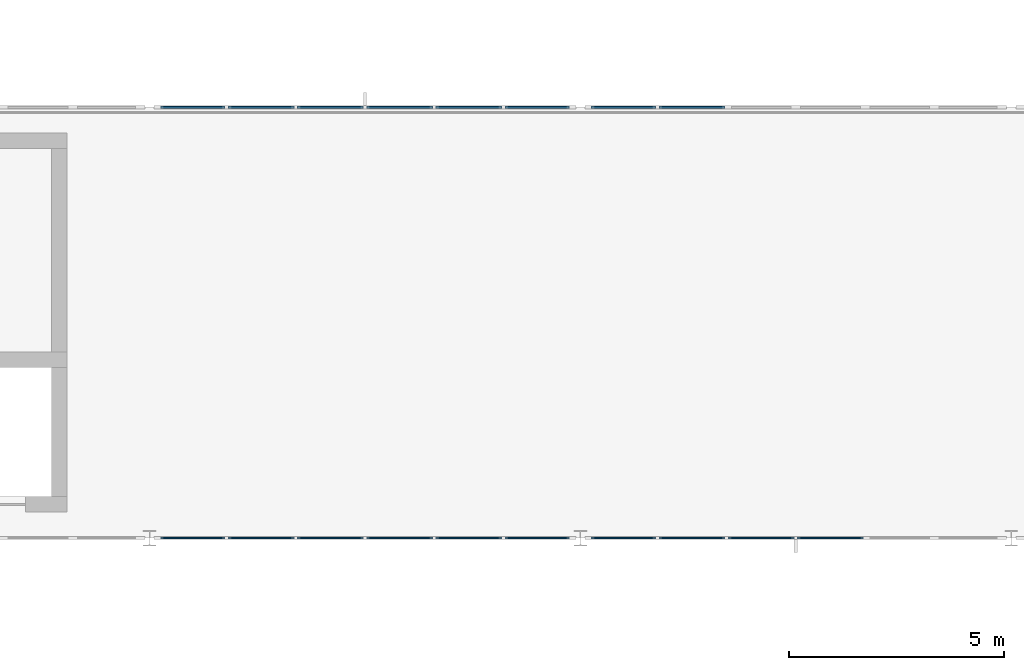
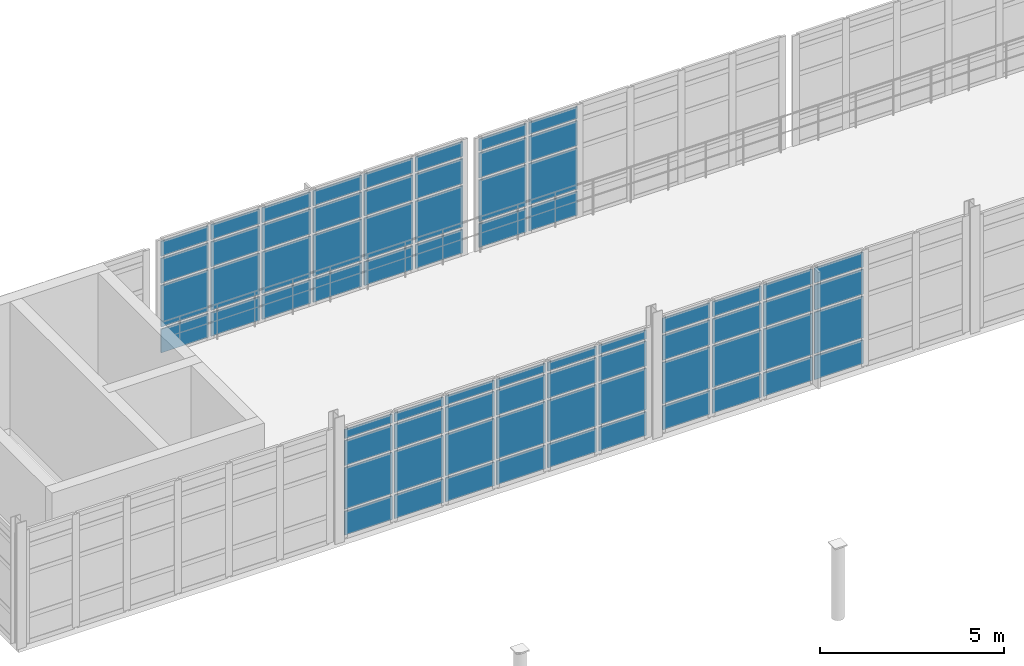
# One storey, part 79 of 122: 72 plates, 4 elements without a shape of their own.
"""IFC4 building model written with IfcOpenShell, lengths in metres."""

from ifc_helpers import new_model, si_unit, direction, frame, origin, origin_2d, place, context, subcontext, project, spatial, rectangle, extrude, material, layer, layer_set, type_object, element, aggregate, save


model = new_model("IFC4")

# Units and contexts
model_context = context("Model", 3, precision=1e-05, world=origin(), true_north=direction((0.0, 1.0)))
body_context = subcontext(model_context, "Body", "Model", "MODEL_VIEW")
ifc_project = project(units=[si_unit("LENGTHUNIT", "METRE"), si_unit("AREAUNIT", "SQUARE_METRE"), si_unit("VOLUMEUNIT", "CUBIC_METRE"), si_unit("PLANEANGLEUNIT", "RADIAN"), si_unit("MASSUNIT", "GRAM", prefix="KILO"), si_unit("THERMODYNAMICTEMPERATUREUNIT", "KELVIN"), si_unit("POWERUNIT", "WATT")], contexts=[model_context])

# Site, building, storey
site_placement = place(None, origin())
site = spatial("IfcSite", under=ifc_project, at=site_placement, CompositionType="ELEMENT")
building_placement = place(site_placement, origin())
building = spatial("IfcBuilding", under=site, at=building_placement, Name="Korenveer Ferry Terminal", CompositionType="ELEMENT")
storey_placement = place(building_placement, frame((0.0, 0.0, 10.199951171875)))
storey = spatial("IfcBuildingStorey", under=building, at=storey_placement, Name="L02", CompositionType="ELEMENT", Elevation=10.199951171875)

# Curtain wall, plates
ifc_material_1 = material(Name="Unitised bronze-and-glass curtain wall", Category="glass")
ifc_layer_1 = layer(ifc_material_1, 0.219970703125)
ifc_layer_set_1 = layer_set([ifc_layer_1], Name="Unitised bronze-and-glass curtain wall")
curtain_wall_type_1 = type_object("IfcCurtainWallType", Name="ENV-CW-91", PredefinedType="USERDEFINED", material=ifc_layer_set_1)
curtain_wall_1_placement = place(storey_placement, frame((63.179931640625, 50.0, 0.0)))
curtain_wall_1 = element("IfcCurtainWall", 1, at=curtain_wall_1_placement, inside=storey, type_object=curtain_wall_type_1, Name="Lancet curtain wall CWX-L02-X63-73-Y50-50", ObjectType="UNITISED CURTAIN WALL", PredefinedType="USERDEFINED")
ifc_material_2 = material(Name="Acoustic laminated marine glazing", Category="glass")
ifc_layer_2 = layer(ifc_material_2, 0.035888671875)
ifc_layer_set_2 = layer_set([ifc_layer_2], Name="Acoustic laminated marine glazing")
plate_type = type_object("IfcPlateType", Name="ENV-CWP-GLZ36", PredefinedType="CURTAIN_PANEL", material=ifc_layer_set_2)
plate_1_placement = place(storey_placement, frame((64.002197265625, 50.0, 0.074951171875), z_axis=(0.0, 0.0, 1.0), x_axis=(1.0, 0.0, 0.0)))
plate_1 = element("IfcPlate", 2, at=plate_1_placement, type_object=plate_type, Name="CW-91 panel 1.1", PredefinedType="CURTAIN_PANEL", context=body_context, shape_type="SweptSolid", body=[
    extrude(rectangle(XDim=1.494140625, YDim=0.035888671875, at=origin_2d()), origin(), (0.0, 0.0, 1.0), 0.78759765625),
])
plate_2_placement = place(storey_placement, frame((64.002197265625, 50.0, 0.9375), z_axis=(0.0, 0.0, 1.0), x_axis=(1.0, 0.0, 0.0)))
plate_2 = element("IfcPlate", 3, at=plate_2_placement, type_object=plate_type, Name="CW-91 panel 1.2", PredefinedType="CURTAIN_PANEL", context=body_context, shape_type="SweptSolid", body=[
    extrude(rectangle(XDim=1.494140625, YDim=0.035888671875, at=origin_2d()), origin(), (0.0, 0.0, 1.0), 1.375),
])
plate_3_placement = place(storey_placement, frame((64.002197265625, 50.0, 2.3876953125), z_axis=(0.0, 0.0, 1.0), x_axis=(1.0, 0.0, 0.0)))
plate_3 = element("IfcPlate", 4, at=plate_3_placement, type_object=plate_type, Name="CW-91 panel 1.3", PredefinedType="CURTAIN_PANEL", context=body_context, shape_type="SweptSolid", body=[
    extrude(rectangle(XDim=1.494140625, YDim=0.035888671875, at=origin_2d()), origin(), (0.0, 0.0, 1.0), 0.824951171875),
])
plate_4_placement = place(storey_placement, frame((64.002197265625, 50.0, 3.28759765625), z_axis=(0.0, 0.0, 1.0), x_axis=(1.0, 0.0, 0.0)))
plate_4 = element("IfcPlate", 5, at=plate_4_placement, type_object=plate_type, Name="CW-91 panel 1.4", PredefinedType="CURTAIN_PANEL", context=body_context, shape_type="SweptSolid", body=[
    extrude(rectangle(XDim=1.494140625, YDim=0.035888671875, at=origin_2d()), origin(), (0.0, 0.0, 1.0), 0.297607421875),
])
plate_5_placement = place(storey_placement, frame((65.590087890625, 50.0, 0.074951171875), z_axis=(0.0, 0.0, 1.0), x_axis=(1.0, 0.0, 0.0)))
plate_5 = element("IfcPlate", 6, at=plate_5_placement, type_object=plate_type, Name="CW-91 panel 2.1", PredefinedType="CURTAIN_PANEL", context=body_context, shape_type="SweptSolid", body=[
    extrude(rectangle(XDim=1.53173828125, YDim=0.035888671875, at=origin_2d()), origin(), (0.0, 0.0, 1.0), 0.78759765625),
])
plate_6_placement = place(storey_placement, frame((65.590087890625, 50.0, 0.9375), z_axis=(0.0, 0.0, 1.0), x_axis=(1.0, 0.0, 0.0)))
plate_6 = element("IfcPlate", 7, at=plate_6_placement, type_object=plate_type, Name="CW-91 panel 2.2", PredefinedType="CURTAIN_PANEL", context=body_context, shape_type="SweptSolid", body=[
    extrude(rectangle(XDim=1.53173828125, YDim=0.035888671875, at=origin_2d()), origin(), (0.0, 0.0, 1.0), 1.375),
])
plate_7_placement = place(storey_placement, frame((65.590087890625, 50.0, 2.3876953125), z_axis=(0.0, 0.0, 1.0), x_axis=(1.0, 0.0, 0.0)))
plate_7 = element("IfcPlate", 8, at=plate_7_placement, type_object=plate_type, Name="CW-91 panel 2.3", PredefinedType="CURTAIN_PANEL", context=body_context, shape_type="SweptSolid", body=[
    extrude(rectangle(XDim=1.53173828125, YDim=0.035888671875, at=origin_2d()), origin(), (0.0, 0.0, 1.0), 0.824951171875),
])
plate_8_placement = place(storey_placement, frame((65.590087890625, 50.0, 3.28759765625), z_axis=(0.0, 0.0, 1.0), x_axis=(1.0, 0.0, 0.0)))
plate_8 = element("IfcPlate", 9, at=plate_8_placement, type_object=plate_type, Name="CW-91 panel 2.4", PredefinedType="CURTAIN_PANEL", context=body_context, shape_type="SweptSolid", body=[
    extrude(rectangle(XDim=1.53173828125, YDim=0.035888671875, at=origin_2d()), origin(), (0.0, 0.0, 1.0), 0.297607421875),
])
plate_9_placement = place(storey_placement, frame((67.19677734375, 50.0, 0.074951171875), z_axis=(0.0, 0.0, 1.0), x_axis=(1.0, 0.0, 0.0)))
plate_9 = element("IfcPlate", 10, at=plate_9_placement, type_object=plate_type, Name="CW-91 panel 3.1", PredefinedType="CURTAIN_PANEL", context=body_context, shape_type="SweptSolid", body=[
    extrude(rectangle(XDim=1.53173828125, YDim=0.035888671875, at=origin_2d()), origin(), (0.0, 0.0, 1.0), 0.78759765625),
])
plate_10_placement = place(storey_placement, frame((67.19677734375, 50.0, 0.9375), z_axis=(0.0, 0.0, 1.0), x_axis=(1.0, 0.0, 0.0)))
plate_10 = element("IfcPlate", 11, at=plate_10_placement, type_object=plate_type, Name="CW-91 panel 3.2", PredefinedType="CURTAIN_PANEL", context=body_context, shape_type="SweptSolid", body=[
    extrude(rectangle(XDim=1.53173828125, YDim=0.035888671875, at=origin_2d()), origin(), (0.0, 0.0, 1.0), 1.375),
])
plate_11_placement = place(storey_placement, frame((67.19677734375, 50.0, 2.3876953125), z_axis=(0.0, 0.0, 1.0), x_axis=(1.0, 0.0, 0.0)))
plate_11 = element("IfcPlate", 12, at=plate_11_placement, type_object=plate_type, Name="CW-91 panel 3.3", PredefinedType="CURTAIN_PANEL", context=body_context, shape_type="SweptSolid", body=[
    extrude(rectangle(XDim=1.53173828125, YDim=0.035888671875, at=origin_2d()), origin(), (0.0, 0.0, 1.0), 0.824951171875),
])
plate_12_placement = place(storey_placement, frame((67.19677734375, 50.0, 3.28759765625), z_axis=(0.0, 0.0, 1.0), x_axis=(1.0, 0.0, 0.0)))
plate_12 = element("IfcPlate", 13, at=plate_12_placement, type_object=plate_type, Name="CW-91 panel 3.4", PredefinedType="CURTAIN_PANEL", context=body_context, shape_type="SweptSolid", body=[
    extrude(rectangle(XDim=1.53173828125, YDim=0.035888671875, at=origin_2d()), origin(), (0.0, 0.0, 1.0), 0.297607421875),
])
plate_13_placement = place(storey_placement, frame((68.80322265625, 50.0, 0.074951171875), z_axis=(0.0, 0.0, 1.0), x_axis=(1.0, 0.0, 0.0)))
plate_13 = element("IfcPlate", 14, at=plate_13_placement, type_object=plate_type, Name="CW-91 panel 4.1", PredefinedType="CURTAIN_PANEL", context=body_context, shape_type="SweptSolid", body=[
    extrude(rectangle(XDim=1.53173828125, YDim=0.035888671875, at=origin_2d()), origin(), (0.0, 0.0, 1.0), 0.78759765625),
])
plate_14_placement = place(storey_placement, frame((68.80322265625, 50.0, 0.9375), z_axis=(0.0, 0.0, 1.0), x_axis=(1.0, 0.0, 0.0)))
plate_14 = element("IfcPlate", 15, at=plate_14_placement, type_object=plate_type, Name="CW-91 panel 4.2", PredefinedType="CURTAIN_PANEL", context=body_context, shape_type="SweptSolid", body=[
    extrude(rectangle(XDim=1.53173828125, YDim=0.035888671875, at=origin_2d()), origin(), (0.0, 0.0, 1.0), 1.375),
])
plate_15_placement = place(storey_placement, frame((68.80322265625, 50.0, 2.3876953125), z_axis=(0.0, 0.0, 1.0), x_axis=(1.0, 0.0, 0.0)))
plate_15 = element("IfcPlate", 16, at=plate_15_placement, type_object=plate_type, Name="CW-91 panel 4.3", PredefinedType="CURTAIN_PANEL", context=body_context, shape_type="SweptSolid", body=[
    extrude(rectangle(XDim=1.53173828125, YDim=0.035888671875, at=origin_2d()), origin(), (0.0, 0.0, 1.0), 0.824951171875),
])
plate_16_placement = place(storey_placement, frame((68.80322265625, 50.0, 3.28759765625), z_axis=(0.0, 0.0, 1.0), x_axis=(1.0, 0.0, 0.0)))
plate_16 = element("IfcPlate", 17, at=plate_16_placement, type_object=plate_type, Name="CW-91 panel 4.4", PredefinedType="CURTAIN_PANEL", context=body_context, shape_type="SweptSolid", body=[
    extrude(rectangle(XDim=1.53173828125, YDim=0.035888671875, at=origin_2d()), origin(), (0.0, 0.0, 1.0), 0.297607421875),
])
plate_17_placement = place(storey_placement, frame((70.409912109375, 50.0, 0.074951171875), z_axis=(0.0, 0.0, 1.0), x_axis=(1.0, 0.0, 0.0)))
plate_17 = element("IfcPlate", 18, at=plate_17_placement, type_object=plate_type, Name="CW-91 panel 5.1", PredefinedType="CURTAIN_PANEL", context=body_context, shape_type="SweptSolid", body=[
    extrude(rectangle(XDim=1.53173828125, YDim=0.035888671875, at=origin_2d()), origin(), (0.0, 0.0, 1.0), 0.78759765625),
])
plate_18_placement = place(storey_placement, frame((70.409912109375, 50.0, 0.9375), z_axis=(0.0, 0.0, 1.0), x_axis=(1.0, 0.0, 0.0)))
plate_18 = element("IfcPlate", 19, at=plate_18_placement, type_object=plate_type, Name="CW-91 panel 5.2", PredefinedType="CURTAIN_PANEL", context=body_context, shape_type="SweptSolid", body=[
    extrude(rectangle(XDim=1.53173828125, YDim=0.035888671875, at=origin_2d()), origin(), (0.0, 0.0, 1.0), 1.375),
])
plate_19_placement = place(storey_placement, frame((70.409912109375, 50.0, 2.3876953125), z_axis=(0.0, 0.0, 1.0), x_axis=(1.0, 0.0, 0.0)))
plate_19 = element("IfcPlate", 20, at=plate_19_placement, type_object=plate_type, Name="CW-91 panel 5.3", PredefinedType="CURTAIN_PANEL", context=body_context, shape_type="SweptSolid", body=[
    extrude(rectangle(XDim=1.53173828125, YDim=0.035888671875, at=origin_2d()), origin(), (0.0, 0.0, 1.0), 0.824951171875),
])
plate_20_placement = place(storey_placement, frame((70.409912109375, 50.0, 3.28759765625), z_axis=(0.0, 0.0, 1.0), x_axis=(1.0, 0.0, 0.0)))
plate_20 = element("IfcPlate", 21, at=plate_20_placement, type_object=plate_type, Name="CW-91 panel 5.4", PredefinedType="CURTAIN_PANEL", context=body_context, shape_type="SweptSolid", body=[
    extrude(rectangle(XDim=1.53173828125, YDim=0.035888671875, at=origin_2d()), origin(), (0.0, 0.0, 1.0), 0.297607421875),
])
plate_21_placement = place(storey_placement, frame((71.997802734375, 50.0, 0.074951171875), z_axis=(0.0, 0.0, 1.0), x_axis=(1.0, 0.0, 0.0)))
plate_21 = element("IfcPlate", 22, at=plate_21_placement, type_object=plate_type, Name="CW-91 panel 6.1", PredefinedType="CURTAIN_PANEL", context=body_context, shape_type="SweptSolid", body=[
    extrude(rectangle(XDim=1.494140625, YDim=0.035888671875, at=origin_2d()), origin(), (0.0, 0.0, 1.0), 0.78759765625),
])
plate_22_placement = place(storey_placement, frame((71.997802734375, 50.0, 0.9375), z_axis=(0.0, 0.0, 1.0), x_axis=(1.0, 0.0, 0.0)))
plate_22 = element("IfcPlate", 23, at=plate_22_placement, type_object=plate_type, Name="CW-91 panel 6.2", PredefinedType="CURTAIN_PANEL", context=body_context, shape_type="SweptSolid", body=[
    extrude(rectangle(XDim=1.494140625, YDim=0.035888671875, at=origin_2d()), origin(), (0.0, 0.0, 1.0), 1.375),
])
plate_23_placement = place(storey_placement, frame((71.997802734375, 50.0, 2.3876953125), z_axis=(0.0, 0.0, 1.0), x_axis=(1.0, 0.0, 0.0)))
plate_23 = element("IfcPlate", 24, at=plate_23_placement, type_object=plate_type, Name="CW-91 panel 6.3", PredefinedType="CURTAIN_PANEL", context=body_context, shape_type="SweptSolid", body=[
    extrude(rectangle(XDim=1.494140625, YDim=0.035888671875, at=origin_2d()), origin(), (0.0, 0.0, 1.0), 0.824951171875),
])
plate_24_placement = place(storey_placement, frame((71.997802734375, 50.0, 3.28759765625), z_axis=(0.0, 0.0, 1.0), x_axis=(1.0, 0.0, 0.0)))
plate_24 = element("IfcPlate", 25, at=plate_24_placement, type_object=plate_type, Name="CW-91 panel 6.4", PredefinedType="CURTAIN_PANEL", context=body_context, shape_type="SweptSolid", body=[
    extrude(rectangle(XDim=1.494140625, YDim=0.035888671875, at=origin_2d()), origin(), (0.0, 0.0, 1.0), 0.297607421875),
])
aggregate(curtain_wall_1, [plate_1, plate_2, plate_3, plate_4, plate_5, plate_6, plate_7, plate_8, plate_9, plate_10, plate_11, plate_12, plate_13, plate_14, plate_15, plate_16, plate_17, plate_18, plate_19, plate_20, plate_21, plate_22, plate_23, plate_24])

ifc_layer_3 = layer(ifc_material_1, 0.219970703125)
ifc_layer_set_3 = layer_set([ifc_layer_3], Name="Unitised bronze-and-glass curtain wall")
curtain_wall_type_2 = type_object("IfcCurtainWallType", Name="ENV-CW-92", PredefinedType="USERDEFINED", material=ifc_layer_set_3)
curtain_wall_2_placement = place(storey_placement, frame((73.179931640625, 50.0, 0.0)))
curtain_wall_2 = element("IfcCurtainWall", 26, at=curtain_wall_2_placement, inside=storey, type_object=curtain_wall_type_2, Name="Lancet curtain wall CWX-L02-X73-83-Y50-50", ObjectType="UNITISED CURTAIN WALL", PredefinedType="USERDEFINED")
plate_25_placement = place(storey_placement, frame((74.002197265625, 50.0, 0.074951171875), z_axis=(0.0, 0.0, 1.0), x_axis=(1.0, 0.0, 0.0)))
plate_25 = element("IfcPlate", 27, at=plate_25_placement, type_object=plate_type, Name="CW-92 panel 1.1", PredefinedType="CURTAIN_PANEL", context=body_context, shape_type="SweptSolid", body=[
    extrude(rectangle(XDim=1.494140625, YDim=0.035888671875, at=origin_2d()), origin(), (0.0, 0.0, 1.0), 0.78759765625),
])
plate_26_placement = place(storey_placement, frame((74.002197265625, 50.0, 0.9375), z_axis=(0.0, 0.0, 1.0), x_axis=(1.0, 0.0, 0.0)))
plate_26 = element("IfcPlate", 28, at=plate_26_placement, type_object=plate_type, Name="CW-92 panel 1.2", PredefinedType="CURTAIN_PANEL", context=body_context, shape_type="SweptSolid", body=[
    extrude(rectangle(XDim=1.494140625, YDim=0.035888671875, at=origin_2d()), origin(), (0.0, 0.0, 1.0), 1.375),
])
plate_27_placement = place(storey_placement, frame((74.002197265625, 50.0, 2.3876953125), z_axis=(0.0, 0.0, 1.0), x_axis=(1.0, 0.0, 0.0)))
plate_27 = element("IfcPlate", 29, at=plate_27_placement, type_object=plate_type, Name="CW-92 panel 1.3", PredefinedType="CURTAIN_PANEL", context=body_context, shape_type="SweptSolid", body=[
    extrude(rectangle(XDim=1.494140625, YDim=0.035888671875, at=origin_2d()), origin(), (0.0, 0.0, 1.0), 0.824951171875),
])
plate_28_placement = place(storey_placement, frame((74.002197265625, 50.0, 3.28759765625), z_axis=(0.0, 0.0, 1.0), x_axis=(1.0, 0.0, 0.0)))
plate_28 = element("IfcPlate", 30, at=plate_28_placement, type_object=plate_type, Name="CW-92 panel 1.4", PredefinedType="CURTAIN_PANEL", context=body_context, shape_type="SweptSolid", body=[
    extrude(rectangle(XDim=1.494140625, YDim=0.035888671875, at=origin_2d()), origin(), (0.0, 0.0, 1.0), 0.49755859375),
])
plate_29_placement = place(storey_placement, frame((75.590087890625, 50.0, 0.074951171875), z_axis=(0.0, 0.0, 1.0), x_axis=(1.0, 0.0, 0.0)))
plate_29 = element("IfcPlate", 31, at=plate_29_placement, type_object=plate_type, Name="CW-92 panel 2.1", PredefinedType="CURTAIN_PANEL", context=body_context, shape_type="SweptSolid", body=[
    extrude(rectangle(XDim=1.53173828125, YDim=0.035888671875, at=origin_2d()), origin(), (0.0, 0.0, 1.0), 0.78759765625),
])
plate_30_placement = place(storey_placement, frame((75.590087890625, 50.0, 0.9375), z_axis=(0.0, 0.0, 1.0), x_axis=(1.0, 0.0, 0.0)))
plate_30 = element("IfcPlate", 32, at=plate_30_placement, type_object=plate_type, Name="CW-92 panel 2.2", PredefinedType="CURTAIN_PANEL", context=body_context, shape_type="SweptSolid", body=[
    extrude(rectangle(XDim=1.53173828125, YDim=0.035888671875, at=origin_2d()), origin(), (0.0, 0.0, 1.0), 1.375),
])
plate_31_placement = place(storey_placement, frame((75.590087890625, 50.0, 2.3876953125), z_axis=(0.0, 0.0, 1.0), x_axis=(1.0, 0.0, 0.0)))
plate_31 = element("IfcPlate", 33, at=plate_31_placement, type_object=plate_type, Name="CW-92 panel 2.3", PredefinedType="CURTAIN_PANEL", context=body_context, shape_type="SweptSolid", body=[
    extrude(rectangle(XDim=1.53173828125, YDim=0.035888671875, at=origin_2d()), origin(), (0.0, 0.0, 1.0), 0.824951171875),
])
plate_32_placement = place(storey_placement, frame((75.590087890625, 50.0, 3.28759765625), z_axis=(0.0, 0.0, 1.0), x_axis=(1.0, 0.0, 0.0)))
plate_32 = element("IfcPlate", 34, at=plate_32_placement, type_object=plate_type, Name="CW-92 panel 2.4", PredefinedType="CURTAIN_PANEL", context=body_context, shape_type="SweptSolid", body=[
    extrude(rectangle(XDim=1.53173828125, YDim=0.035888671875, at=origin_2d()), origin(), (0.0, 0.0, 1.0), 0.49755859375),
])
plate_33_placement = place(storey_placement, frame((77.19677734375, 50.0, 0.074951171875), z_axis=(0.0, 0.0, 1.0), x_axis=(1.0, 0.0, 0.0)))
plate_33 = element("IfcPlate", 35, at=plate_33_placement, type_object=plate_type, Name="CW-92 panel 3.1", PredefinedType="CURTAIN_PANEL", context=body_context, shape_type="SweptSolid", body=[
    extrude(rectangle(XDim=1.53173828125, YDim=0.035888671875, at=origin_2d()), origin(), (0.0, 0.0, 1.0), 0.78759765625),
])
plate_34_placement = place(storey_placement, frame((77.19677734375, 50.0, 0.9375), z_axis=(0.0, 0.0, 1.0), x_axis=(1.0, 0.0, 0.0)))
plate_34 = element("IfcPlate", 36, at=plate_34_placement, type_object=plate_type, Name="CW-92 panel 3.2", PredefinedType="CURTAIN_PANEL", context=body_context, shape_type="SweptSolid", body=[
    extrude(rectangle(XDim=1.53173828125, YDim=0.035888671875, at=origin_2d()), origin(), (0.0, 0.0, 1.0), 1.375),
])
plate_35_placement = place(storey_placement, frame((77.19677734375, 50.0, 2.3876953125), z_axis=(0.0, 0.0, 1.0), x_axis=(1.0, 0.0, 0.0)))
plate_35 = element("IfcPlate", 37, at=plate_35_placement, type_object=plate_type, Name="CW-92 panel 3.3", PredefinedType="CURTAIN_PANEL", context=body_context, shape_type="SweptSolid", body=[
    extrude(rectangle(XDim=1.53173828125, YDim=0.035888671875, at=origin_2d()), origin(), (0.0, 0.0, 1.0), 0.824951171875),
])
plate_36_placement = place(storey_placement, frame((77.19677734375, 50.0, 3.28759765625), z_axis=(0.0, 0.0, 1.0), x_axis=(1.0, 0.0, 0.0)))
plate_36 = element("IfcPlate", 38, at=plate_36_placement, type_object=plate_type, Name="CW-92 panel 3.4", PredefinedType="CURTAIN_PANEL", context=body_context, shape_type="SweptSolid", body=[
    extrude(rectangle(XDim=1.53173828125, YDim=0.035888671875, at=origin_2d()), origin(), (0.0, 0.0, 1.0), 0.49755859375),
])
plate_37_placement = place(storey_placement, frame((78.80322265625, 50.0, 0.074951171875), z_axis=(0.0, 0.0, 1.0), x_axis=(1.0, 0.0, 0.0)))
plate_37 = element("IfcPlate", 39, at=plate_37_placement, type_object=plate_type, Name="CW-92 panel 4.1", PredefinedType="CURTAIN_PANEL", context=body_context, shape_type="SweptSolid", body=[
    extrude(rectangle(XDim=1.53173828125, YDim=0.035888671875, at=origin_2d()), origin(), (0.0, 0.0, 1.0), 0.78759765625),
])
plate_38_placement = place(storey_placement, frame((78.80322265625, 50.0, 0.9375), z_axis=(0.0, 0.0, 1.0), x_axis=(1.0, 0.0, 0.0)))
plate_38 = element("IfcPlate", 40, at=plate_38_placement, type_object=plate_type, Name="CW-92 panel 4.2", PredefinedType="CURTAIN_PANEL", context=body_context, shape_type="SweptSolid", body=[
    extrude(rectangle(XDim=1.53173828125, YDim=0.035888671875, at=origin_2d()), origin(), (0.0, 0.0, 1.0), 1.375),
])
plate_39_placement = place(storey_placement, frame((78.80322265625, 50.0, 2.3876953125), z_axis=(0.0, 0.0, 1.0), x_axis=(1.0, 0.0, 0.0)))
plate_39 = element("IfcPlate", 41, at=plate_39_placement, type_object=plate_type, Name="CW-92 panel 4.3", PredefinedType="CURTAIN_PANEL", context=body_context, shape_type="SweptSolid", body=[
    extrude(rectangle(XDim=1.53173828125, YDim=0.035888671875, at=origin_2d()), origin(), (0.0, 0.0, 1.0), 0.824951171875),
])
plate_40_placement = place(storey_placement, frame((78.80322265625, 50.0, 3.28759765625), z_axis=(0.0, 0.0, 1.0), x_axis=(1.0, 0.0, 0.0)))
plate_40 = element("IfcPlate", 42, at=plate_40_placement, type_object=plate_type, Name="CW-92 panel 4.4", PredefinedType="CURTAIN_PANEL", context=body_context, shape_type="SweptSolid", body=[
    extrude(rectangle(XDim=1.53173828125, YDim=0.035888671875, at=origin_2d()), origin(), (0.0, 0.0, 1.0), 0.49755859375),
])
aggregate(curtain_wall_2, [plate_25, plate_26, plate_27, plate_28, plate_29, plate_30, plate_31, plate_32, plate_33, plate_34, plate_35, plate_36, plate_37, plate_38, plate_39, plate_40])

curtain_wall_3_placement = place(storey_placement, frame((63.179931640625, 60.0, 0.0)))
curtain_wall_3 = element("IfcCurtainWall", 43, at=curtain_wall_3_placement, inside=storey, type_object=curtain_wall_type_2, Name="Lancet curtain wall CWX-L02-X63-73-Y60-60", ObjectType="UNITISED CURTAIN WALL", PredefinedType="USERDEFINED")
plate_41_placement = place(storey_placement, frame((64.002197265625, 60.0, 0.074951171875), z_axis=(0.0, 0.0, 1.0), x_axis=(1.0, 0.0, 0.0)))
plate_41 = element("IfcPlate", 44, at=plate_41_placement, type_object=plate_type, Name="CW-92 panel 1.1", PredefinedType="CURTAIN_PANEL", context=body_context, shape_type="SweptSolid", body=[
    extrude(rectangle(XDim=1.494140625, YDim=0.035888671875, at=origin_2d()), origin(), (0.0, 0.0, 1.0), 0.78759765625),
])
plate_42_placement = place(storey_placement, frame((64.002197265625, 60.0, 0.9375), z_axis=(0.0, 0.0, 1.0), x_axis=(1.0, 0.0, 0.0)))
plate_42 = element("IfcPlate", 45, at=plate_42_placement, type_object=plate_type, Name="CW-92 panel 1.2", PredefinedType="CURTAIN_PANEL", context=body_context, shape_type="SweptSolid", body=[
    extrude(rectangle(XDim=1.494140625, YDim=0.035888671875, at=origin_2d()), origin(), (0.0, 0.0, 1.0), 1.375),
])
plate_43_placement = place(storey_placement, frame((64.002197265625, 60.0, 2.3876953125), z_axis=(0.0, 0.0, 1.0), x_axis=(1.0, 0.0, 0.0)))
plate_43 = element("IfcPlate", 46, at=plate_43_placement, type_object=plate_type, Name="CW-92 panel 1.3", PredefinedType="CURTAIN_PANEL", context=body_context, shape_type="SweptSolid", body=[
    extrude(rectangle(XDim=1.494140625, YDim=0.035888671875, at=origin_2d()), origin(), (0.0, 0.0, 1.0), 0.824951171875),
])
plate_44_placement = place(storey_placement, frame((64.002197265625, 60.0, 3.28759765625), z_axis=(0.0, 0.0, 1.0), x_axis=(1.0, 0.0, 0.0)))
plate_44 = element("IfcPlate", 47, at=plate_44_placement, type_object=plate_type, Name="CW-92 panel 1.4", PredefinedType="CURTAIN_PANEL", context=body_context, shape_type="SweptSolid", body=[
    extrude(rectangle(XDim=1.494140625, YDim=0.035888671875, at=origin_2d()), origin(), (0.0, 0.0, 1.0), 0.49755859375),
])
plate_45_placement = place(storey_placement, frame((65.590087890625, 60.0, 0.074951171875), z_axis=(0.0, 0.0, 1.0), x_axis=(1.0, 0.0, 0.0)))
plate_45 = element("IfcPlate", 48, at=plate_45_placement, type_object=plate_type, Name="CW-92 panel 2.1", PredefinedType="CURTAIN_PANEL", context=body_context, shape_type="SweptSolid", body=[
    extrude(rectangle(XDim=1.53173828125, YDim=0.035888671875, at=origin_2d()), origin(), (0.0, 0.0, 1.0), 0.78759765625),
])
plate_46_placement = place(storey_placement, frame((65.590087890625, 60.0, 0.9375), z_axis=(0.0, 0.0, 1.0), x_axis=(1.0, 0.0, 0.0)))
plate_46 = element("IfcPlate", 49, at=plate_46_placement, type_object=plate_type, Name="CW-92 panel 2.2", PredefinedType="CURTAIN_PANEL", context=body_context, shape_type="SweptSolid", body=[
    extrude(rectangle(XDim=1.53173828125, YDim=0.035888671875, at=origin_2d()), origin(), (0.0, 0.0, 1.0), 1.375),
])
plate_47_placement = place(storey_placement, frame((65.590087890625, 60.0, 2.3876953125), z_axis=(0.0, 0.0, 1.0), x_axis=(1.0, 0.0, 0.0)))
plate_47 = element("IfcPlate", 50, at=plate_47_placement, type_object=plate_type, Name="CW-92 panel 2.3", PredefinedType="CURTAIN_PANEL", context=body_context, shape_type="SweptSolid", body=[
    extrude(rectangle(XDim=1.53173828125, YDim=0.035888671875, at=origin_2d()), origin(), (0.0, 0.0, 1.0), 0.824951171875),
])
plate_48_placement = place(storey_placement, frame((65.590087890625, 60.0, 3.28759765625), z_axis=(0.0, 0.0, 1.0), x_axis=(1.0, 0.0, 0.0)))
plate_48 = element("IfcPlate", 51, at=plate_48_placement, type_object=plate_type, Name="CW-92 panel 2.4", PredefinedType="CURTAIN_PANEL", context=body_context, shape_type="SweptSolid", body=[
    extrude(rectangle(XDim=1.53173828125, YDim=0.035888671875, at=origin_2d()), origin(), (0.0, 0.0, 1.0), 0.49755859375),
])
plate_49_placement = place(storey_placement, frame((67.19677734375, 60.0, 0.074951171875), z_axis=(0.0, 0.0, 1.0), x_axis=(1.0, 0.0, 0.0)))
plate_49 = element("IfcPlate", 52, at=plate_49_placement, type_object=plate_type, Name="CW-92 panel 3.1", PredefinedType="CURTAIN_PANEL", context=body_context, shape_type="SweptSolid", body=[
    extrude(rectangle(XDim=1.53173828125, YDim=0.035888671875, at=origin_2d()), origin(), (0.0, 0.0, 1.0), 0.78759765625),
])
plate_50_placement = place(storey_placement, frame((67.19677734375, 60.0, 0.9375), z_axis=(0.0, 0.0, 1.0), x_axis=(1.0, 0.0, 0.0)))
plate_50 = element("IfcPlate", 53, at=plate_50_placement, type_object=plate_type, Name="CW-92 panel 3.2", PredefinedType="CURTAIN_PANEL", context=body_context, shape_type="SweptSolid", body=[
    extrude(rectangle(XDim=1.53173828125, YDim=0.035888671875, at=origin_2d()), origin(), (0.0, 0.0, 1.0), 1.375),
])
plate_51_placement = place(storey_placement, frame((67.19677734375, 60.0, 2.3876953125), z_axis=(0.0, 0.0, 1.0), x_axis=(1.0, 0.0, 0.0)))
plate_51 = element("IfcPlate", 54, at=plate_51_placement, type_object=plate_type, Name="CW-92 panel 3.3", PredefinedType="CURTAIN_PANEL", context=body_context, shape_type="SweptSolid", body=[
    extrude(rectangle(XDim=1.53173828125, YDim=0.035888671875, at=origin_2d()), origin(), (0.0, 0.0, 1.0), 0.824951171875),
])
plate_52_placement = place(storey_placement, frame((67.19677734375, 60.0, 3.28759765625), z_axis=(0.0, 0.0, 1.0), x_axis=(1.0, 0.0, 0.0)))
plate_52 = element("IfcPlate", 55, at=plate_52_placement, type_object=plate_type, Name="CW-92 panel 3.4", PredefinedType="CURTAIN_PANEL", context=body_context, shape_type="SweptSolid", body=[
    extrude(rectangle(XDim=1.53173828125, YDim=0.035888671875, at=origin_2d()), origin(), (0.0, 0.0, 1.0), 0.49755859375),
])
plate_53_placement = place(storey_placement, frame((68.80322265625, 60.0, 0.074951171875), z_axis=(0.0, 0.0, 1.0), x_axis=(1.0, 0.0, 0.0)))
plate_53 = element("IfcPlate", 56, at=plate_53_placement, type_object=plate_type, Name="CW-92 panel 4.1", PredefinedType="CURTAIN_PANEL", context=body_context, shape_type="SweptSolid", body=[
    extrude(rectangle(XDim=1.53173828125, YDim=0.035888671875, at=origin_2d()), origin(), (0.0, 0.0, 1.0), 0.78759765625),
])
plate_54_placement = place(storey_placement, frame((68.80322265625, 60.0, 0.9375), z_axis=(0.0, 0.0, 1.0), x_axis=(1.0, 0.0, 0.0)))
plate_54 = element("IfcPlate", 57, at=plate_54_placement, type_object=plate_type, Name="CW-92 panel 4.2", PredefinedType="CURTAIN_PANEL", context=body_context, shape_type="SweptSolid", body=[
    extrude(rectangle(XDim=1.53173828125, YDim=0.035888671875, at=origin_2d()), origin(), (0.0, 0.0, 1.0), 1.375),
])
plate_55_placement = place(storey_placement, frame((68.80322265625, 60.0, 2.3876953125), z_axis=(0.0, 0.0, 1.0), x_axis=(1.0, 0.0, 0.0)))
plate_55 = element("IfcPlate", 58, at=plate_55_placement, type_object=plate_type, Name="CW-92 panel 4.3", PredefinedType="CURTAIN_PANEL", context=body_context, shape_type="SweptSolid", body=[
    extrude(rectangle(XDim=1.53173828125, YDim=0.035888671875, at=origin_2d()), origin(), (0.0, 0.0, 1.0), 0.824951171875),
])
plate_56_placement = place(storey_placement, frame((68.80322265625, 60.0, 3.28759765625), z_axis=(0.0, 0.0, 1.0), x_axis=(1.0, 0.0, 0.0)))
plate_56 = element("IfcPlate", 59, at=plate_56_placement, type_object=plate_type, Name="CW-92 panel 4.4", PredefinedType="CURTAIN_PANEL", context=body_context, shape_type="SweptSolid", body=[
    extrude(rectangle(XDim=1.53173828125, YDim=0.035888671875, at=origin_2d()), origin(), (0.0, 0.0, 1.0), 0.49755859375),
])
plate_57_placement = place(storey_placement, frame((70.409912109375, 60.0, 0.074951171875), z_axis=(0.0, 0.0, 1.0), x_axis=(1.0, 0.0, 0.0)))
plate_57 = element("IfcPlate", 60, at=plate_57_placement, type_object=plate_type, Name="CW-92 panel 5.1", PredefinedType="CURTAIN_PANEL", context=body_context, shape_type="SweptSolid", body=[
    extrude(rectangle(XDim=1.53173828125, YDim=0.035888671875, at=origin_2d()), origin(), (0.0, 0.0, 1.0), 0.78759765625),
])
plate_58_placement = place(storey_placement, frame((70.409912109375, 60.0, 0.9375), z_axis=(0.0, 0.0, 1.0), x_axis=(1.0, 0.0, 0.0)))
plate_58 = element("IfcPlate", 61, at=plate_58_placement, type_object=plate_type, Name="CW-92 panel 5.2", PredefinedType="CURTAIN_PANEL", context=body_context, shape_type="SweptSolid", body=[
    extrude(rectangle(XDim=1.53173828125, YDim=0.035888671875, at=origin_2d()), origin(), (0.0, 0.0, 1.0), 1.375),
])
plate_59_placement = place(storey_placement, frame((70.409912109375, 60.0, 2.3876953125), z_axis=(0.0, 0.0, 1.0), x_axis=(1.0, 0.0, 0.0)))
plate_59 = element("IfcPlate", 62, at=plate_59_placement, type_object=plate_type, Name="CW-92 panel 5.3", PredefinedType="CURTAIN_PANEL", context=body_context, shape_type="SweptSolid", body=[
    extrude(rectangle(XDim=1.53173828125, YDim=0.035888671875, at=origin_2d()), origin(), (0.0, 0.0, 1.0), 0.824951171875),
])
plate_60_placement = place(storey_placement, frame((70.409912109375, 60.0, 3.28759765625), z_axis=(0.0, 0.0, 1.0), x_axis=(1.0, 0.0, 0.0)))
plate_60 = element("IfcPlate", 63, at=plate_60_placement, type_object=plate_type, Name="CW-92 panel 5.4", PredefinedType="CURTAIN_PANEL", context=body_context, shape_type="SweptSolid", body=[
    extrude(rectangle(XDim=1.53173828125, YDim=0.035888671875, at=origin_2d()), origin(), (0.0, 0.0, 1.0), 0.49755859375),
])
plate_61_placement = place(storey_placement, frame((71.997802734375, 60.0, 0.074951171875), z_axis=(0.0, 0.0, 1.0), x_axis=(1.0, 0.0, 0.0)))
plate_61 = element("IfcPlate", 64, at=plate_61_placement, type_object=plate_type, Name="CW-92 panel 6.1", PredefinedType="CURTAIN_PANEL", context=body_context, shape_type="SweptSolid", body=[
    extrude(rectangle(XDim=1.494140625, YDim=0.035888671875, at=origin_2d()), origin(), (0.0, 0.0, 1.0), 0.78759765625),
])
plate_62_placement = place(storey_placement, frame((71.997802734375, 60.0, 0.9375), z_axis=(0.0, 0.0, 1.0), x_axis=(1.0, 0.0, 0.0)))
plate_62 = element("IfcPlate", 65, at=plate_62_placement, type_object=plate_type, Name="CW-92 panel 6.2", PredefinedType="CURTAIN_PANEL", context=body_context, shape_type="SweptSolid", body=[
    extrude(rectangle(XDim=1.494140625, YDim=0.035888671875, at=origin_2d()), origin(), (0.0, 0.0, 1.0), 1.375),
])
plate_63_placement = place(storey_placement, frame((71.997802734375, 60.0, 2.3876953125), z_axis=(0.0, 0.0, 1.0), x_axis=(1.0, 0.0, 0.0)))
plate_63 = element("IfcPlate", 66, at=plate_63_placement, type_object=plate_type, Name="CW-92 panel 6.3", PredefinedType="CURTAIN_PANEL", context=body_context, shape_type="SweptSolid", body=[
    extrude(rectangle(XDim=1.494140625, YDim=0.035888671875, at=origin_2d()), origin(), (0.0, 0.0, 1.0), 0.824951171875),
])
plate_64_placement = place(storey_placement, frame((71.997802734375, 60.0, 3.28759765625), z_axis=(0.0, 0.0, 1.0), x_axis=(1.0, 0.0, 0.0)))
plate_64 = element("IfcPlate", 67, at=plate_64_placement, type_object=plate_type, Name="CW-92 panel 6.4", PredefinedType="CURTAIN_PANEL", context=body_context, shape_type="SweptSolid", body=[
    extrude(rectangle(XDim=1.494140625, YDim=0.035888671875, at=origin_2d()), origin(), (0.0, 0.0, 1.0), 0.49755859375),
])
aggregate(curtain_wall_3, [plate_41, plate_42, plate_43, plate_44, plate_45, plate_46, plate_47, plate_48, plate_49, plate_50, plate_51, plate_52, plate_53, plate_54, plate_55, plate_56, plate_57, plate_58, plate_59, plate_60, plate_61, plate_62, plate_63, plate_64])

ifc_layer_4 = layer(ifc_material_1, 0.219970703125)
ifc_layer_set_4 = layer_set([ifc_layer_4], Name="Unitised bronze-and-glass curtain wall")
curtain_wall_type_3 = type_object("IfcCurtainWallType", Name="ENV-CW-90", PredefinedType="USERDEFINED", material=ifc_layer_set_4)
curtain_wall_4_placement = place(storey_placement, frame((73.179931640625, 60.0, 0.0)))
curtain_wall_4 = element("IfcCurtainWall", 68, at=curtain_wall_4_placement, inside=storey, type_object=curtain_wall_type_3, Name="Lancet curtain wall CWX-L02-X73-83-Y60-60", ObjectType="UNITISED CURTAIN WALL", PredefinedType="USERDEFINED")
plate_65_placement = place(storey_placement, frame((74.002197265625, 60.0, 0.074951171875), z_axis=(0.0, 0.0, 1.0), x_axis=(1.0, 0.0, 0.0)))
plate_65 = element("IfcPlate", 69, at=plate_65_placement, type_object=plate_type, Name="CW-90 panel 1.1", PredefinedType="CURTAIN_PANEL", context=body_context, shape_type="SweptSolid", body=[
    extrude(rectangle(XDim=1.494140625, YDim=0.035888671875, at=origin_2d()), origin(), (0.0, 0.0, 1.0), 0.78759765625),
])
plate_66_placement = place(storey_placement, frame((74.002197265625, 60.0, 0.9375), z_axis=(0.0, 0.0, 1.0), x_axis=(1.0, 0.0, 0.0)))
plate_66 = element("IfcPlate", 70, at=plate_66_placement, type_object=plate_type, Name="CW-90 panel 1.2", PredefinedType="CURTAIN_PANEL", context=body_context, shape_type="SweptSolid", body=[
    extrude(rectangle(XDim=1.494140625, YDim=0.035888671875, at=origin_2d()), origin(), (0.0, 0.0, 1.0), 1.375),
])
plate_67_placement = place(storey_placement, frame((74.002197265625, 60.0, 2.3876953125), z_axis=(0.0, 0.0, 1.0), x_axis=(1.0, 0.0, 0.0)))
plate_67 = element("IfcPlate", 71, at=plate_67_placement, type_object=plate_type, Name="CW-90 panel 1.3", PredefinedType="CURTAIN_PANEL", context=body_context, shape_type="SweptSolid", body=[
    extrude(rectangle(XDim=1.494140625, YDim=0.035888671875, at=origin_2d()), origin(), (0.0, 0.0, 1.0), 0.824951171875),
])
plate_68_placement = place(storey_placement, frame((74.002197265625, 60.0, 3.28759765625), z_axis=(0.0, 0.0, 1.0), x_axis=(1.0, 0.0, 0.0)))
plate_68 = element("IfcPlate", 72, at=plate_68_placement, type_object=plate_type, Name="CW-90 panel 1.4", PredefinedType="CURTAIN_PANEL", context=body_context, shape_type="SweptSolid", body=[
    extrude(rectangle(XDim=1.494140625, YDim=0.035888671875, at=origin_2d()), origin(), (0.0, 0.0, 1.0), 0.3974609375),
])
plate_69_placement = place(storey_placement, frame((75.590087890625, 60.0, 0.074951171875), z_axis=(0.0, 0.0, 1.0), x_axis=(1.0, 0.0, 0.0)))
plate_69 = element("IfcPlate", 73, at=plate_69_placement, type_object=plate_type, Name="CW-90 panel 2.1", PredefinedType="CURTAIN_PANEL", context=body_context, shape_type="SweptSolid", body=[
    extrude(rectangle(XDim=1.53173828125, YDim=0.035888671875, at=origin_2d()), origin(), (0.0, 0.0, 1.0), 0.78759765625),
])
plate_70_placement = place(storey_placement, frame((75.590087890625, 60.0, 0.9375), z_axis=(0.0, 0.0, 1.0), x_axis=(1.0, 0.0, 0.0)))
plate_70 = element("IfcPlate", 74, at=plate_70_placement, type_object=plate_type, Name="CW-90 panel 2.2", PredefinedType="CURTAIN_PANEL", context=body_context, shape_type="SweptSolid", body=[
    extrude(rectangle(XDim=1.53173828125, YDim=0.035888671875, at=origin_2d()), origin(), (0.0, 0.0, 1.0), 1.375),
])
plate_71_placement = place(storey_placement, frame((75.590087890625, 60.0, 2.3876953125), z_axis=(0.0, 0.0, 1.0), x_axis=(1.0, 0.0, 0.0)))
plate_71 = element("IfcPlate", 75, at=plate_71_placement, type_object=plate_type, Name="CW-90 panel 2.3", PredefinedType="CURTAIN_PANEL", context=body_context, shape_type="SweptSolid", body=[
    extrude(rectangle(XDim=1.53173828125, YDim=0.035888671875, at=origin_2d()), origin(), (0.0, 0.0, 1.0), 0.824951171875),
])
plate_72_placement = place(storey_placement, frame((75.590087890625, 60.0, 3.28759765625), z_axis=(0.0, 0.0, 1.0), x_axis=(1.0, 0.0, 0.0)))
plate_72 = element("IfcPlate", 76, at=plate_72_placement, type_object=plate_type, Name="CW-90 panel 2.4", PredefinedType="CURTAIN_PANEL", context=body_context, shape_type="SweptSolid", body=[
    extrude(rectangle(XDim=1.53173828125, YDim=0.035888671875, at=origin_2d()), origin(), (0.0, 0.0, 1.0), 0.3974609375),
])
aggregate(curtain_wall_4, [plate_65, plate_66, plate_67, plate_68, plate_69, plate_70, plate_71, plate_72])

save(model, "model.ifc")
